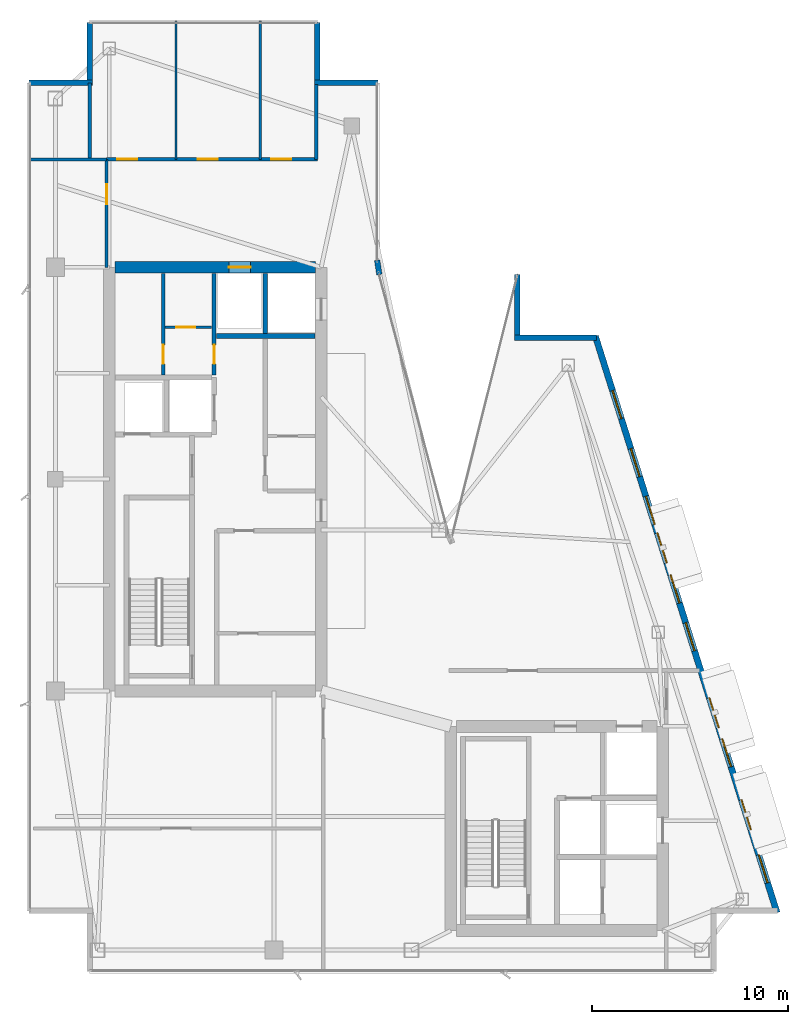
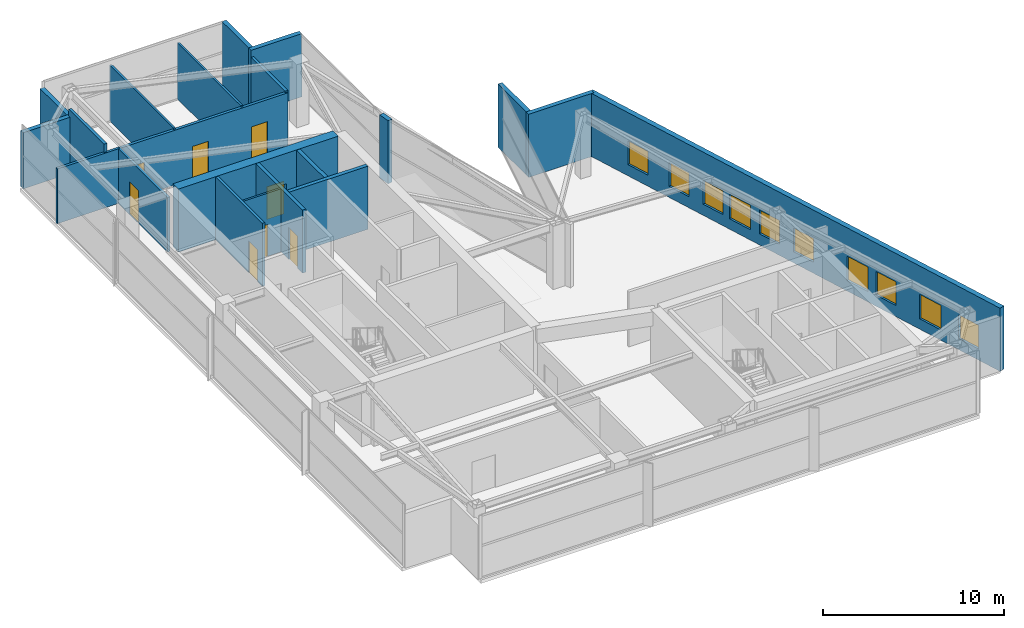
# One storey, part 22 of 25: 21 walls, 10 windows, 8 doors, 18 openings.
"""IFC4 building model written with IfcOpenShell, lengths in metres."""

from ifc_helpers import new_model, si_unit, direction, frame, frame_2d, origin, place, context, subcontext, project, spatial, rectangle, extrude, material, layer, layer_set, type_object, element, fill, save


model = new_model("IFC4")

# Units and contexts
model_context = context("Model", 3, precision=1e-05, world=origin(), true_north=direction((0.0, 1.0)))
body_context = subcontext(model_context, "Body", "Model", "MODEL_VIEW")
ifc_project = project(units=[si_unit("LENGTHUNIT", "METRE"), si_unit("AREAUNIT", "SQUARE_METRE"), si_unit("VOLUMEUNIT", "CUBIC_METRE"), si_unit("PLANEANGLEUNIT", "RADIAN"), si_unit("MASSUNIT", "GRAM", prefix="KILO")], contexts=[model_context])

# Site, building, storey
site_placement = place(None, origin())
site = spatial("IfcSite", under=ifc_project, at=site_placement, CompositionType="ELEMENT")
building_placement = place(site_placement, origin())
building = spatial("IfcBuilding", under=site, at=building_placement, Name="Calvorn Quay Hotel", CompositionType="ELEMENT")
storey_placement = place(building_placement, frame((0.0, 0.0, 311.5)))
storey = spatial("IfcBuildingStorey", under=building, at=storey_placement, Name="L77", CompositionType="ELEMENT", Elevation=311.5)

# Wall, opening, door
ifc_material_1 = material(Name="Concrete C45", Category="concrete")
ifc_layer_1 = layer(ifc_material_1, 0.60009765625)
ifc_layer_set_1 = layer_set([ifc_layer_1], Name="WL-CORE-600")
wall_type_1 = type_object("IfcWallType", Name="WL-CORE-600", PredefinedType="SHEAR", material=ifc_layer_set_1)
wall_1_placement = place(storey_placement, frame((4.5, 38.39990234375, 0.0), z_axis=(0.0, 0.0, 1.0), x_axis=(1.0, 0.0, 0.0)))
wall_1 = element("IfcWall", 1, at=wall_1_placement, inside=storey, type_object=wall_type_1, Name="West Core Shear Wall N (L77)", PredefinedType="SHEAR", context=body_context, shape_type="SweptSolid", body=[
    extrude(rectangle(XDim=10.199951171875, YDim=0.60009765625, at=frame_2d((5.10009765625, 0.0))), origin(), (0.0, 0.0, 1.0), 4.260009765625),
])
opening_1_placement = place(wall_1_placement, frame((5.800048828125, 0.0, 0.0)))
opening_1 = element("IfcOpeningElement", 2, at=opening_1_placement, cuts=wall_1, Name="Opening LD-L77-H2", PredefinedType="OPENING", context=body_context, shape_type="SweptSolid", body=[
    extrude(rectangle(XDim=1.10009765625, YDim=2.199951171875, at=frame_2d((0.550048828125, 1.10009765625))), frame((0.0, 0.31005859375, 0.0), z_axis=(0.0, -1.0, 0.0), x_axis=(1.0, 0.0, 0.0)), (0.0, 0.0, 1.0), 0.6201171875),
])
ifc_material_2 = material(Name="Brushed Stainless Steel Sliding Lift Landing Door", Category="steel")
door_type_1 = type_object("IfcDoorType", Name="DR-LIFT-PASS-1100", OperationType="NOTDEFINED", PredefinedType="DOOR", material=ifc_material_2)
door_1_placement = place(opening_1_placement, origin())
door_1 = element("IfcDoor", 3, at=door_1_placement, inside=storey, type_object=door_type_1, Name="High-Rise Lift PL-H2 Landing Door (L77)", OperationType="DOUBLE_DOOR_SLIDING", OverallHeight=2.199951171875, OverallWidth=1.10009765625, PredefinedType="DOOR", context=body_context, shape_type="SweptSolid", body=[
    extrude(rectangle(XDim=1.10009765625, YDim=2.199951171875, at=frame_2d((0.550048828125, 1.10009765625))), frame((0.0, 0.02490234375, 0.0), z_axis=(0.0, -1.0, 0.0), x_axis=(1.0, 0.0, 0.0)), (0.0, 0.0, 1.0), 0.050048828125),
])
fill(opening_1, door_1)

# Wall
ifc_material_3 = material(Name="Acoustic Fireboard Steel-Stud Partition", Category="steel")
ifc_layer_2 = layer(ifc_material_3, 0.179931640625)
ifc_layer_set_2 = layer_set([ifc_layer_2], Name="WL-CORR-FIRE-180")
wall_type_2 = type_object("IfcWallType", Name="WL-CORR-FIRE-180", PredefinedType="PARTITIONING", material=ifc_layer_set_2)
wall_2_placement = place(storey_placement, frame((3.199951171875, 43.89990234375, 0.0), z_axis=(0.0, 0.0, 1.0), x_axis=(0.0, 1.0, 0.0)))
element("IfcWall", 4, at=wall_2_placement, inside=storey, type_object=wall_type_2, Name="Partition Wall L77-WL-SK-WC-W", PredefinedType="PARTITIONING", context=body_context, shape_type="SweptSolid", body=[
    extrude(rectangle(XDim=3.900146484375, YDim=0.179931640625, at=frame_2d((1.9501953125, 0.0))), origin(), (0.0, 0.0, 1.0), 4.260009765625),
])

# Wall, openings, doors
wall_3_placement = place(storey_placement, frame((4.06005859375, 43.89990234375, 0.0), z_axis=(0.0, 0.0, 1.0), x_axis=(1.0, 0.0, 0.0)))
wall_3 = element("IfcWall", 5, at=wall_3_placement, inside=storey, type_object=wall_type_2, Name="Partition Wall L77-WL-SK-WC-S", PredefinedType="PARTITIONING", context=body_context, shape_type="SweptSolid", body=[
    extrude(rectangle(XDim=10.739990234375, YDim=0.179931640625, at=frame_2d((5.3701171875, 0.0))), origin(), (0.0, 0.0, 1.0), 3.68994140625),
])
opening_2_placement = place(wall_3_placement, frame((0.550048828125, 0.0, 0.0)))
opening_2 = element("IfcOpeningElement", 6, at=opening_2_placement, cuts=wall_3, Name="Opening D-L77-WM", PredefinedType="OPENING", context=body_context, shape_type="SweptSolid", body=[
    extrude(rectangle(XDim=1.02001953125, YDim=2.199951171875, at=frame_2d((0.510009765625, 1.10009765625))), frame((0.0, 0.099853515625, 0.0), z_axis=(0.0, -1.0, 0.0), x_axis=(1.0, 0.0, 0.0)), (0.0, 0.0, 1.0), 0.199951171875),
])
opening_3_placement = place(wall_3_placement, frame((4.64990234375, 0.0, 0.0)))
opening_3 = element("IfcOpeningElement", 7, at=opening_3_placement, cuts=wall_3, Name="Opening D-L77-WF", PredefinedType="OPENING", context=body_context, shape_type="SweptSolid", body=[
    extrude(rectangle(XDim=1.02001953125, YDim=2.199951171875, at=frame_2d((0.510009765625, 1.10009765625))), frame((0.0, 0.099853515625, 0.0), z_axis=(0.0, -1.0, 0.0), x_axis=(1.0, 0.0, 0.0)), (0.0, 0.0, 1.0), 0.199951171875),
])
opening_4_placement = place(wall_3_placement, frame((8.39990234375, 0.0, 0.0)))
opening_4 = element("IfcOpeningElement", 8, at=opening_4_placement, cuts=wall_3, Name="Opening D-L77-WA", PredefinedType="OPENING", context=body_context, shape_type="SweptSolid", body=[
    extrude(rectangle(XDim=1.02001953125, YDim=2.199951171875, at=frame_2d((0.510009765625, 1.10009765625))), frame((0.0, 0.099853515625, 0.0), z_axis=(0.0, -1.0, 0.0), x_axis=(1.0, 0.0, 0.0)), (0.0, 0.0, 1.0), 0.199951171875),
])
ifc_material_4 = material(Name="Solid-Core Walnut Veneer Hotel Fire Door")
door_type_2 = type_object("IfcDoorType", Name="DR-GUEST-ENTRY-1020", OperationType="NOTDEFINED", PredefinedType="DOOR", material=ifc_material_4)
door_2_placement = place(opening_2_placement, origin())
door_2 = element("IfcDoor", 9, at=door_2_placement, inside=storey, type_object=door_type_2, Name="Male WC Door", OperationType="SINGLE_SWING_LEFT", OverallHeight=2.199951171875, OverallWidth=1.02001953125, PredefinedType="DOOR", context=body_context, shape_type="SweptSolid", body=[
    extrude(rectangle(XDim=1.02001953125, YDim=2.199951171875, at=frame_2d((0.510009765625, 1.10009765625))), frame((0.0, 0.02490234375, 0.0), z_axis=(0.0, -1.0, 0.0), x_axis=(1.0, 0.0, 0.0)), (0.0, 0.0, 1.0), 0.050048828125),
])
fill(opening_2, door_2)
door_3_placement = place(opening_3_placement, origin())
door_3 = element("IfcDoor", 10, at=door_3_placement, inside=storey, type_object=door_type_2, Name="Female WC Door", OperationType="SINGLE_SWING_RIGHT", OverallHeight=2.199951171875, OverallWidth=1.02001953125, PredefinedType="DOOR", context=body_context, shape_type="SweptSolid", body=[
    extrude(rectangle(XDim=1.02001953125, YDim=2.199951171875, at=frame_2d((0.510009765625, 1.10009765625))), frame((0.0, 0.02490234375, 0.0), z_axis=(0.0, -1.0, 0.0), x_axis=(1.0, 0.0, 0.0)), (0.0, 0.0, 1.0), 0.050048828125),
])
fill(opening_3, door_3)
door_4_placement = place(opening_4_placement, origin())
door_4 = element("IfcDoor", 11, at=door_4_placement, inside=storey, type_object=door_type_2, Name="Accessible WC Door", OperationType="SINGLE_SWING_LEFT", OverallHeight=2.199951171875, OverallWidth=1.02001953125, PredefinedType="DOOR", context=body_context, shape_type="SweptSolid", body=[
    extrude(rectangle(XDim=1.02001953125, YDim=2.199951171875, at=frame_2d((0.510009765625, 1.10009765625))), frame((0.0, 0.02490234375, 0.0), z_axis=(0.0, -1.0, 0.0), x_axis=(1.0, 0.0, 0.0)), (0.0, 0.0, 1.0), 0.050048828125),
])
fill(opening_4, door_4)

# Wall
wall_4_placement = place(storey_placement, frame((14.75, 43.89990234375, 0.0), z_axis=(0.0, 0.0, 1.0), x_axis=(0.0, 1.0, 0.0)))
element("IfcWall", 12, at=wall_4_placement, inside=storey, type_object=wall_type_2, Name="Partition Wall L77-WL-SK-WC-E", PredefinedType="PARTITIONING", context=body_context, shape_type="SweptSolid", body=[
    extrude(rectangle(XDim=3.820068359375, YDim=0.179931640625, at=frame_2d((1.91015625, 0.0))), origin(), (0.0, 0.0, 1.0), 3.7900390625),
])

# Wall, opening, door
ifc_material_5 = material(Name="Moisture-Resistant Tile-Backed Partition")
ifc_layer_3 = layer(ifc_material_5, 0.125)
ifc_layer_set_3 = layer_set([ifc_layer_3], Name="WL-ENSUITE-125")
wall_type_3 = type_object("IfcWallType", Name="WL-ENSUITE-125", PredefinedType="PARTITIONING", material=ifc_layer_set_3)
wall_5_placement = place(storey_placement, frame((7.050048828125, 35.35009765625, 0.0), z_axis=(0.0, 0.0, 1.0), x_axis=(1.0, 0.0, 0.0)))
wall_5 = element("IfcWall", 13, at=wall_5_placement, inside=storey, type_object=wall_type_3, Name="Partition Wall L77-WL-CWW-K-H", PredefinedType="PARTITIONING", context=body_context, shape_type="SweptSolid", body=[
    extrude(rectangle(XDim=2.369873046875, YDim=0.125, at=frame_2d((1.18505859375, 0.0))), origin(), (0.0, 0.0, 1.0), 4.260009765625),
])
opening_5_placement = place(wall_5_placement, frame((0.550048828125, 0.0, 0.0)))
opening_5 = element("IfcOpeningElement", 14, at=opening_5_placement, cuts=wall_5, Name="Opening D-L77-CK3", PredefinedType="OPENING", context=body_context, shape_type="SweptSolid", body=[
    extrude(rectangle(XDim=0.97998046875, YDim=2.14990234375, at=frame_2d((0.489990234375, 1.074951171875))), frame((0.0, 0.072509765625, 0.0), z_axis=(0.0, -1.0, 0.0), x_axis=(1.0, 0.0, 0.0)), (0.0, 0.0, 1.0), 0.14501953125),
])
ifc_material_6 = material(Name="Painted Steel Housekeeping/Riser Fire Door", Category="steel")
door_type_3 = type_object("IfcDoorType", Name="DR-SERVICE-980", OperationType="NOTDEFINED", PredefinedType="DOOR", material=ifc_material_6)
door_5_placement = place(opening_5_placement, origin())
door_5 = element("IfcDoor", 15, at=door_5_placement, inside=storey, type_object=door_type_3, Name="Telecom Closet Door (L77)", OperationType="SINGLE_SWING_RIGHT", OverallHeight=2.14990234375, OverallWidth=0.97998046875, PredefinedType="DOOR", context=body_context, shape_type="SweptSolid", body=[
    extrude(rectangle(XDim=0.97998046875, YDim=2.14990234375, at=frame_2d((0.489990234375, 1.074951171875))), frame((0.0, 0.02490234375, 0.0), z_axis=(0.0, -1.0, 0.0), x_axis=(1.0, 0.0, 0.0)), (0.0, 0.0, 1.0), 0.050048828125),
])
fill(opening_5, door_5)

# Walls
for number, where, z_axis, x_axis, name in (
    (16, (7.60009765625, 43.89990234375, 0.0), (0.0, 0.0, 1.0), (0.0, 1.0, 0.0), "Partition Wall L77-WL-SK-WC-D1"),
    (17, (11.89990234375, 43.89990234375, 0.0), (0.0, 0.0, 1.0), (0.0, 1.0, 0.0), "Partition Wall L77-WL-SK-WC-D2"),
):
    element("IfcWall", number, at=place(storey_placement, frame(where, z_axis=z_axis, x_axis=x_axis)), inside=storey, type_object=wall_type_3, Name=name, PredefinedType="PARTITIONING", context=body_context, shape_type="SweptSolid", body=[
        extrude(rectangle(XDim=7.0400390625, YDim=0.125, at=frame_2d((3.52001953125, 0.0))), origin(), (0.0, 0.0, 1.0), 3.7900390625),
    ])
ifc_material_7 = material(Name="Concrete C40", Category="concrete")
ifc_layer_4 = layer(ifc_material_7, 0.320068359375)
ifc_layer_set_4 = layer_set([ifc_layer_4], Name="WL-EXT-SPANDREL-320")
wall_type_4 = type_object("IfcWallType", Name="WL-EXT-SPANDREL-320", PredefinedType="SOLIDWALL", material=ifc_layer_set_4)
wall_6_placement = place(storey_placement, frame((17.9619140625, 38.030029296875, 0.0), z_axis=(0.0, 0.0, 1.0), x_axis=(-0.15141125477, 0.988470855377, 0.0)))
element("IfcWall", 18, at=wall_6_placement, inside=storey, type_object=wall_type_4, Name="Inner Court Corner Pier L77-ICJ2", PredefinedType="SOLIDWALL", context=body_context, shape_type="SweptSolid", body=[
    extrude(rectangle(XDim=0.738525390625, YDim=0.280029296875, at=frame_2d((0.369140625, 0.0))), origin(), (0.0, 0.0, 1.0), 4.260009765625),
])
wall_7_placement = place(storey_placement, frame((29.0400390625, 34.800048828125, 0.0), z_axis=(0.0, 0.0, 1.0), x_axis=(-1.0, 0.0, 0.0)))
element("IfcWall", 19, at=wall_7_placement, inside=storey, type_object=wall_type_4, Name="Notched Corner Spandrel L77-NE1", PredefinedType="SOLIDWALL", context=body_context, shape_type="SweptSolid", body=[
    extrude(rectangle(XDim=4.179931640625, YDim=0.280029296875, at=frame_2d((2.08984375, 0.0))), origin(), (0.0, 0.0, 1.0), 4.260009765625),
])
wall_8_placement = place(storey_placement, frame((25.0, 34.93994140625, 0.0), z_axis=(0.0, 0.0, 1.0), x_axis=(0.0, 1.0, 0.0)))
element("IfcWall", 20, at=wall_8_placement, inside=storey, type_object=wall_type_4, Name="Notched Corner Spandrel L77-NE2", PredefinedType="SOLIDWALL", context=body_context, shape_type="SweptSolid", body=[
    extrude(rectangle(XDim=3.10009765625, YDim=0.280029296875, at=frame_2d((1.550048828125, 0.0))), origin(), (0.0, 0.0, 1.0), 4.260009765625),
])
wall_9_placement = place(storey_placement, frame((17.89990234375, 47.800048828125, 0.0), z_axis=(0.0, 0.0, 1.0), x_axis=(-1.0, 0.0, 0.0)))
element("IfcWall", 21, at=wall_9_placement, inside=storey, type_object=wall_type_4, Name="Notched Corner Spandrel L77-NWE1", PredefinedType="SOLIDWALL", context=body_context, shape_type="SweptSolid", body=[
    extrude(rectangle(XDim=3.239990234375, YDim=0.280029296875, at=frame_2d((1.6201171875, 0.0))), origin(), (0.0, 0.0, 1.0), 4.260009765625),
])
wall_10_placement = place(storey_placement, frame((14.800048828125, 47.93994140625, 0.0), z_axis=(0.0, 0.0, 1.0), x_axis=(0.0, 1.0, 0.0)))
element("IfcWall", 22, at=wall_10_placement, inside=storey, type_object=wall_type_4, Name="Notched Corner Spandrel L77-NWE2", PredefinedType="SOLIDWALL", context=body_context, shape_type="SweptSolid", body=[
    extrude(rectangle(XDim=2.93994140625, YDim=0.280029296875, at=frame_2d((1.469970703125, 0.0))), origin(), (0.0, 0.0, 1.0), 4.260009765625),
])
wall_11_placement = place(storey_placement, frame((3.199951171875, 50.8798828125, 0.0), z_axis=(0.0, 0.0, 1.0), x_axis=(0.0, -1.0, 0.0)))
element("IfcWall", 23, at=wall_11_placement, inside=storey, type_object=wall_type_4, Name="Notched Corner Spandrel L77-NW1", PredefinedType="SOLIDWALL", context=body_context, shape_type="SweptSolid", body=[
    extrude(rectangle(XDim=2.93994140625, YDim=0.280029296875, at=frame_2d((1.469970703125, 0.0))), origin(), (0.0, 0.0, 1.0), 3.7900390625),
])
wall_12_placement = place(storey_placement, frame((3.340087890625, 47.800048828125, 0.0), z_axis=(0.0, 0.0, 1.0), x_axis=(-1.0, 0.0, 0.0)))
element("IfcWall", 24, at=wall_12_placement, inside=storey, type_object=wall_type_4, Name="Notched Corner Spandrel L77-NW2", PredefinedType="SOLIDWALL", context=body_context, shape_type="SweptSolid", body=[
    extrude(rectangle(XDim=3.219970703125, YDim=0.280029296875, at=frame_2d((1.60986328125, 0.0))), origin(), (0.0, 0.0, 1.0), 3.7900390625),
])

# Wall, openings, windows
wall_13_placement = place(storey_placement, frame((38.22998046875, 5.5048828125, 0.0), z_axis=(0.0, 0.0, 1.0), x_axis=(-0.300509063924, 0.953778958931, 0.0)))
wall_13 = element("IfcWall", 25, at=wall_13_placement, inside=storey, type_object=wall_type_4, Name="East Stepped Waterfront Exterior Wall (L77)", PredefinedType="SOLIDWALL", context=body_context, shape_type="SweptSolid", body=[
    extrude(rectangle(XDim=30.814453125, YDim=0.320068359375, at=frame_2d((15.4072265625, 0.0))), origin(), (0.0, 0.0, 1.0), 4.260009765625),
])
opening_6_placement = place(wall_13_placement, frame((4.43701171875, 0.0, 0.699951171875)))
opening_6 = element("IfcOpeningElement", 26, at=opening_6_placement, cuts=wall_13, Name="Opening WHD-L77-1", PredefinedType="OPENING", context=body_context, shape_type="SweptSolid", body=[
    extrude(rectangle(XDim=1.60009765625, YDim=1.64990234375, at=frame_2d((0.800048828125, 0.824951171875))), frame((0.0, 0.169921875, 0.0), z_axis=(0.0, -1.0, 0.0), x_axis=(1.0, 0.0, 0.0)), (0.0, 0.0, 1.0), 0.340087890625),
])
opening_7_placement = place(wall_13_placement, frame((9.888916015625, 0.0, 0.699951171875)))
opening_7 = element("IfcOpeningElement", 27, at=opening_7_placement, cuts=wall_13, Name="Opening WHD-L77-2", PredefinedType="OPENING", context=body_context, shape_type="SweptSolid", body=[
    extrude(rectangle(XDim=1.60009765625, YDim=1.64990234375, at=frame_2d((0.800048828125, 0.824951171875))), frame((0.0, 0.169921875, 0.0), z_axis=(0.0, -1.0, 0.0), x_axis=(1.0, 0.0, 0.0)), (0.0, 0.0, 1.0), 0.340087890625),
])
opening_8_placement = place(wall_13_placement, frame((18.696044921875, 0.0, 0.699951171875)))
opening_8 = element("IfcOpeningElement", 28, at=opening_8_placement, cuts=wall_13, Name="Opening WHD-L77-3", PredefinedType="OPENING", context=body_context, shape_type="SweptSolid", body=[
    extrude(rectangle(XDim=1.60009765625, YDim=1.64990234375, at=frame_2d((0.800048828125, 0.824951171875))), frame((0.0, 0.169921875, 0.0), z_axis=(0.0, -1.0, 0.0), x_axis=(1.0, 0.0, 0.0)), (0.0, 0.0, 1.0), 0.340087890625),
])
opening_9_placement = place(wall_13_placement, frame((1.60009765625, 0.0, 0.75)))
opening_9 = element("IfcOpeningElement", 29, at=opening_9_placement, cuts=wall_13, Name="Opening WG-L77-E1", PredefinedType="OPENING", context=body_context, shape_type="SweptSolid", body=[
    extrude(rectangle(XDim=1.5, YDim=1.60009765625, at=frame_2d((0.75, 0.800048828125))), frame((0.0, 0.169921875, 0.0), z_axis=(0.0, -1.0, 0.0), x_axis=(1.0, 0.0, 0.0)), (0.0, 0.0, 1.0), 0.340087890625),
])
opening_10_placement = place(wall_13_placement, frame((7.800048828125, 0.0, 0.75)))
opening_10 = element("IfcOpeningElement", 30, at=opening_10_placement, cuts=wall_13, Name="Opening WG-L77-E2", PredefinedType="OPENING", context=body_context, shape_type="SweptSolid", body=[
    extrude(rectangle(XDim=1.5, YDim=1.60009765625, at=frame_2d((0.75, 0.800048828125))), frame((0.0, 0.169921875, 0.0), z_axis=(0.0, -1.0, 0.0), x_axis=(1.0, 0.0, 0.0)), (0.0, 0.0, 1.0), 0.340087890625),
])
opening_11_placement = place(wall_13_placement, frame((14.0, 0.0, 0.75)))
opening_11 = element("IfcOpeningElement", 31, at=opening_11_placement, cuts=wall_13, Name="Opening WG-L77-E3", PredefinedType="OPENING", context=body_context, shape_type="SweptSolid", body=[
    extrude(rectangle(XDim=1.5, YDim=1.60009765625, at=frame_2d((0.75, 0.800048828125))), frame((0.0, 0.169921875, 0.0), z_axis=(0.0, -1.0, 0.0), x_axis=(1.0, 0.0, 0.0)), (0.0, 0.0, 1.0), 0.340087890625),
])
opening_12_placement = place(wall_13_placement, frame((16.550048828125, 0.0, 0.75)))
opening_12 = element("IfcOpeningElement", 32, at=opening_12_placement, cuts=wall_13, Name="Opening WG-L77-E4", PredefinedType="OPENING", context=body_context, shape_type="SweptSolid", body=[
    extrude(rectangle(XDim=1.5, YDim=1.60009765625, at=frame_2d((0.75, 0.800048828125))), frame((0.0, 0.169921875, 0.0), z_axis=(0.0, -1.0, 0.0), x_axis=(1.0, 0.0, 0.0)), (0.0, 0.0, 1.0), 0.340087890625),
])
opening_13_placement = place(wall_13_placement, frame((20.75, 0.0, 0.75)))
opening_13 = element("IfcOpeningElement", 33, at=opening_13_placement, cuts=wall_13, Name="Opening WG-L77-E5", PredefinedType="OPENING", context=body_context, shape_type="SweptSolid", body=[
    extrude(rectangle(XDim=1.5, YDim=1.60009765625, at=frame_2d((0.75, 0.800048828125))), frame((0.0, 0.169921875, 0.0), z_axis=(0.0, -1.0, 0.0), x_axis=(1.0, 0.0, 0.0)), (0.0, 0.0, 1.0), 0.340087890625),
])
opening_14_placement = place(wall_13_placement, frame((23.300048828125, 0.0, 0.75)))
opening_14 = element("IfcOpeningElement", 34, at=opening_14_placement, cuts=wall_13, Name="Opening WG-L77-E6", PredefinedType="OPENING", context=body_context, shape_type="SweptSolid", body=[
    extrude(rectangle(XDim=1.5, YDim=1.60009765625, at=frame_2d((0.75, 0.800048828125))), frame((0.0, 0.169921875, 0.0), z_axis=(0.0, -1.0, 0.0), x_axis=(1.0, 0.0, 0.0)), (0.0, 0.0, 1.0), 0.340087890625),
])
opening_15_placement = place(wall_13_placement, frame((26.39990234375, 0.0, 0.75)))
opening_15 = element("IfcOpeningElement", 35, at=opening_15_placement, cuts=wall_13, Name="Opening WG-L77-E7", PredefinedType="OPENING", context=body_context, shape_type="SweptSolid", body=[
    extrude(rectangle(XDim=1.5, YDim=1.60009765625, at=frame_2d((0.75, 0.800048828125))), frame((0.0, 0.169921875, 0.0), z_axis=(0.0, -1.0, 0.0), x_axis=(1.0, 0.0, 0.0)), (0.0, 0.0, 1.0), 0.340087890625),
])
ifc_material_8 = material(Name="Champagne-Bronze Aluminium Low-E Window", Category="aluminium")
window_type_1 = type_object("IfcWindowType", Name="WIN-GUEST-SIDE-1600x2100", PartitioningType="SINGLE_PANEL", PredefinedType="WINDOW", material=ifc_material_8)
window_1_placement = place(opening_6_placement, origin())
window_1 = element("IfcWindow", 36, at=window_1_placement, inside=storey, type_object=window_type_1, Name="Bay Hood Window L77-HOOD-1", OverallHeight=1.64990234375, OverallWidth=1.60009765625, PartitioningType="SINGLE_PANEL", PredefinedType="WINDOW", context=body_context, shape_type="SweptSolid", body=[
    extrude(rectangle(XDim=1.60009765625, YDim=1.64990234375, at=frame_2d((0.800048828125, 0.824951171875))), frame((0.0, 0.030029296875, 0.0), z_axis=(0.0, -1.0, 0.0), x_axis=(1.0, 0.0, 0.0)), (0.0, 0.0, 1.0), 0.06005859375),
])
fill(opening_6, window_1)
window_2_placement = place(opening_7_placement, origin())
window_2 = element("IfcWindow", 37, at=window_2_placement, inside=storey, type_object=window_type_1, Name="Bay Hood Window L77-HOOD-2", OverallHeight=1.64990234375, OverallWidth=1.60009765625, PartitioningType="SINGLE_PANEL", PredefinedType="WINDOW", context=body_context, shape_type="SweptSolid", body=[
    extrude(rectangle(XDim=1.60009765625, YDim=1.64990234375, at=frame_2d((0.800048828125, 0.824951171875))), frame((0.0, 0.030029296875, 0.0), z_axis=(0.0, -1.0, 0.0), x_axis=(1.0, 0.0, 0.0)), (0.0, 0.0, 1.0), 0.06005859375),
])
fill(opening_7, window_2)
window_3_placement = place(opening_8_placement, origin())
window_3 = element("IfcWindow", 38, at=window_3_placement, inside=storey, type_object=window_type_1, Name="Bay Hood Window L77-HOOD-3", OverallHeight=1.64990234375, OverallWidth=1.60009765625, PartitioningType="SINGLE_PANEL", PredefinedType="WINDOW", context=body_context, shape_type="SweptSolid", body=[
    extrude(rectangle(XDim=1.60009765625, YDim=1.64990234375, at=frame_2d((0.800048828125, 0.824951171875))), frame((0.0, 0.030029296875, 0.0), z_axis=(0.0, -1.0, 0.0), x_axis=(1.0, 0.0, 0.0)), (0.0, 0.0, 1.0), 0.06005859375),
])
fill(opening_8, window_3)
ifc_material_9 = material(Name="Self-Closing Class B Fire Window")
window_type_2 = type_object("IfcWindowType", Name="WIN-REFUGE-1500x1600", PartitioningType="SINGLE_PANEL", PredefinedType="WINDOW", material=ifc_material_9)
window_4_placement = place(opening_9_placement, origin())
window_4 = element("IfcWindow", 39, at=window_4_placement, inside=storey, type_object=window_type_2, Name="East Facade Window L77-E1", OverallHeight=1.60009765625, OverallWidth=1.5, PartitioningType="SINGLE_PANEL", PredefinedType="WINDOW", context=body_context, shape_type="SweptSolid", body=[
    extrude(rectangle(XDim=1.5, YDim=1.60009765625, at=frame_2d((0.75, 0.800048828125))), frame((0.0, 0.030029296875, 0.0), z_axis=(0.0, -1.0, 0.0), x_axis=(1.0, 0.0, 0.0)), (0.0, 0.0, 1.0), 0.06005859375),
])
fill(opening_9, window_4)
window_5_placement = place(opening_10_placement, origin())
window_5 = element("IfcWindow", 40, at=window_5_placement, inside=storey, type_object=window_type_2, Name="East Facade Window L77-E2", OverallHeight=1.60009765625, OverallWidth=1.5, PartitioningType="SINGLE_PANEL", PredefinedType="WINDOW", context=body_context, shape_type="SweptSolid", body=[
    extrude(rectangle(XDim=1.5, YDim=1.60009765625, at=frame_2d((0.75, 0.800048828125))), frame((0.0, 0.030029296875, 0.0), z_axis=(0.0, -1.0, 0.0), x_axis=(1.0, 0.0, 0.0)), (0.0, 0.0, 1.0), 0.06005859375),
])
fill(opening_10, window_5)
window_6_placement = place(opening_11_placement, origin())
window_6 = element("IfcWindow", 41, at=window_6_placement, inside=storey, type_object=window_type_2, Name="East Facade Window L77-E3", OverallHeight=1.60009765625, OverallWidth=1.5, PartitioningType="SINGLE_PANEL", PredefinedType="WINDOW", context=body_context, shape_type="SweptSolid", body=[
    extrude(rectangle(XDim=1.5, YDim=1.60009765625, at=frame_2d((0.75, 0.800048828125))), frame((0.0, 0.030029296875, 0.0), z_axis=(0.0, -1.0, 0.0), x_axis=(1.0, 0.0, 0.0)), (0.0, 0.0, 1.0), 0.06005859375),
])
fill(opening_11, window_6)
window_7_placement = place(opening_12_placement, origin())
window_7 = element("IfcWindow", 42, at=window_7_placement, inside=storey, type_object=window_type_2, Name="East Facade Window L77-E4", OverallHeight=1.60009765625, OverallWidth=1.5, PartitioningType="SINGLE_PANEL", PredefinedType="WINDOW", context=body_context, shape_type="SweptSolid", body=[
    extrude(rectangle(XDim=1.5, YDim=1.60009765625, at=frame_2d((0.75, 0.800048828125))), frame((0.0, 0.030029296875, 0.0), z_axis=(0.0, -1.0, 0.0), x_axis=(1.0, 0.0, 0.0)), (0.0, 0.0, 1.0), 0.06005859375),
])
fill(opening_12, window_7)
window_8_placement = place(opening_13_placement, origin())
window_8 = element("IfcWindow", 43, at=window_8_placement, inside=storey, type_object=window_type_2, Name="East Facade Window L77-E5", OverallHeight=1.60009765625, OverallWidth=1.5, PartitioningType="SINGLE_PANEL", PredefinedType="WINDOW", context=body_context, shape_type="SweptSolid", body=[
    extrude(rectangle(XDim=1.5, YDim=1.60009765625, at=frame_2d((0.75, 0.800048828125))), frame((0.0, 0.030029296875, 0.0), z_axis=(0.0, -1.0, 0.0), x_axis=(1.0, 0.0, 0.0)), (0.0, 0.0, 1.0), 0.06005859375),
])
fill(opening_13, window_8)
window_9_placement = place(opening_14_placement, origin())
window_9 = element("IfcWindow", 44, at=window_9_placement, inside=storey, type_object=window_type_2, Name="East Facade Window L77-E6", OverallHeight=1.60009765625, OverallWidth=1.5, PartitioningType="SINGLE_PANEL", PredefinedType="WINDOW", context=body_context, shape_type="SweptSolid", body=[
    extrude(rectangle(XDim=1.5, YDim=1.60009765625, at=frame_2d((0.75, 0.800048828125))), frame((0.0, 0.030029296875, 0.0), z_axis=(0.0, -1.0, 0.0), x_axis=(1.0, 0.0, 0.0)), (0.0, 0.0, 1.0), 0.06005859375),
])
fill(opening_14, window_9)
window_10_placement = place(opening_15_placement, origin())
window_10 = element("IfcWindow", 45, at=window_10_placement, inside=storey, type_object=window_type_2, Name="East Facade Window L77-E7", OverallHeight=1.60009765625, OverallWidth=1.5, PartitioningType="SINGLE_PANEL", PredefinedType="WINDOW", context=body_context, shape_type="SweptSolid", body=[
    extrude(rectangle(XDim=1.5, YDim=1.60009765625, at=frame_2d((0.75, 0.800048828125))), frame((0.0, 0.030029296875, 0.0), z_axis=(0.0, -1.0, 0.0), x_axis=(1.0, 0.0, 0.0)), (0.0, 0.0, 1.0), 0.06005859375),
])
fill(opening_15, window_10)

# Wall, opening, door
ifc_material_10 = material(Name="Double-Stud Acoustic Gypsum Partition")
ifc_layer_5 = layer(ifc_material_10, 0.159912109375)
ifc_layer_set_5 = layer_set([ifc_layer_5], Name="WL-INTERSUITE-160")
wall_type_5 = type_object("IfcWallType", Name="WL-INTERSUITE-160", PredefinedType="PARTITIONING", material=ifc_layer_set_5)
wall_14_placement = place(storey_placement, frame((6.949951171875, 32.919921875, 0.0), z_axis=(0.0, 0.0, 1.0), x_axis=(0.0, 1.0, 0.0)))
wall_14 = element("IfcWall", 46, at=wall_14_placement, inside=storey, type_object=wall_type_5, Name="Partition Wall L77-WL-CWW-K-V", PredefinedType="PARTITIONING", context=body_context, shape_type="SweptSolid", body=[
    extrude(rectangle(XDim=5.16015625, YDim=0.159912109375, at=frame_2d((2.580078125, 0.0))), origin(), (0.0, 0.0, 1.0), 4.260009765625),
])
opening_16_placement = place(wall_14_placement, frame((0.550048828125, 0.0, 0.0)))
opening_16 = element("IfcOpeningElement", 47, at=opening_16_placement, cuts=wall_14, Name="Opening D-L77-CK1", PredefinedType="OPENING", context=body_context, shape_type="SweptSolid", body=[
    extrude(rectangle(XDim=0.97998046875, YDim=2.14990234375, at=frame_2d((0.489990234375, 1.074951171875))), frame((0.0, 0.08984375, 0.0), z_axis=(0.0, -1.0, 0.0), x_axis=(1.0, 0.0, 0.0)), (0.0, 0.0, 1.0), 0.179931640625),
])
door_6_placement = place(opening_16_placement, origin())
door_6 = element("IfcDoor", 48, at=door_6_placement, inside=storey, type_object=door_type_3, Name="Pipe Riser Door (L77)", OperationType="SINGLE_SWING_LEFT", OverallHeight=2.14990234375, OverallWidth=0.97998046875, PredefinedType="DOOR", context=body_context, shape_type="SweptSolid", body=[
    extrude(rectangle(XDim=0.97998046875, YDim=2.14990234375, at=frame_2d((0.489990234375, 1.074951171875))), frame((0.0, 0.02490234375, 0.0), z_axis=(0.0, -1.0, 0.0), x_axis=(1.0, 0.0, 0.0)), (0.0, 0.0, 1.0), 0.050048828125),
])
fill(opening_16, door_6)

wall_15_placement = place(storey_placement, frame((4.06005859375, 38.39990234375, 0.0), z_axis=(0.0, 0.0, 1.0), x_axis=(0.0, 1.0, 0.0)))
wall_15 = element("IfcWall", 49, at=wall_15_placement, inside=storey, type_object=wall_type_5, Name="Partition Wall L77-WL-SK-WV-E", PredefinedType="PARTITIONING", context=body_context, shape_type="SweptSolid", body=[
    extrude(rectangle(XDim=5.5, YDim=0.159912109375, at=frame_2d((2.75, 0.0))), origin(), (0.0, 0.0, 1.0), 3.68994140625),
])
opening_17_placement = place(wall_15_placement, frame((3.199951171875, 0.0, 0.0)))
opening_17 = element("IfcOpeningElement", 50, at=opening_17_placement, cuts=wall_15, Name="Opening D-L77-WV", PredefinedType="OPENING", context=body_context, shape_type="SweptSolid", body=[
    extrude(rectangle(XDim=1.02001953125, YDim=2.199951171875, at=frame_2d((0.510009765625, 1.10009765625))), frame((0.0, 0.08984375, 0.0), z_axis=(0.0, -1.0, 0.0), x_axis=(1.0, 0.0, 0.0)), (0.0, 0.0, 1.0), 0.179931640625),
])
door_7_placement = place(opening_17_placement, origin())
door_7 = element("IfcDoor", 51, at=door_7_placement, inside=storey, type_object=door_type_2, Name="West Viewing Lounge Door", OperationType="SINGLE_SWING_LEFT", OverallHeight=2.199951171875, OverallWidth=1.02001953125, PredefinedType="DOOR", context=body_context, shape_type="SweptSolid", body=[
    extrude(rectangle(XDim=1.02001953125, YDim=2.199951171875, at=frame_2d((0.510009765625, 1.10009765625))), frame((0.0, 0.02490234375, 0.0), z_axis=(0.0, -1.0, 0.0), x_axis=(1.0, 0.0, 0.0)), (0.0, 0.0, 1.0), 0.050048828125),
])
fill(opening_17, door_7)

# Wall
wall_16_placement = place(storey_placement, frame((0.080078125, 43.89990234375, 0.0), z_axis=(0.0, 0.0, 1.0), x_axis=(1.0, 0.0, 0.0)))
element("IfcWall", 52, at=wall_16_placement, inside=storey, type_object=wall_type_5, Name="Partition Wall L77-WL-SK-WV-N", PredefinedType="PARTITIONING", context=body_context, shape_type="SweptSolid", body=[
    extrude(rectangle(XDim=3.97998046875, YDim=0.159912109375, at=frame_2d((1.989990234375, 0.0))), origin(), (0.0, 0.0, 1.0), 3.68994140625),
])

# Wall, opening, door
ifc_material_11 = material(Name="Autoclaved Aerated Masonry Block", Category="masonry")
ifc_layer_6 = layer(ifc_material_11, 0.219970703125)
ifc_layer_set_6 = layer_set([ifc_layer_6], Name="WL-LOBBY-FIRE-220")
wall_type_6 = type_object("IfcWallType", Name="WL-LOBBY-FIRE-220", PredefinedType="SOLIDWALL", material=ifc_layer_set_6)
wall_17_placement = place(storey_placement, frame((9.5400390625, 32.919921875, 0.0), z_axis=(0.0, 0.0, 1.0), x_axis=(0.0, 1.0, 0.0)))
wall_17 = element("IfcWall", 53, at=wall_17_placement, inside=storey, type_object=wall_type_6, Name="Partition Wall L77-WL-CWW-K-E", PredefinedType="SOLIDWALL", context=body_context, shape_type="SweptSolid", body=[
    extrude(rectangle(XDim=5.16015625, YDim=0.219970703125, at=frame_2d((2.580078125, 0.0))), origin(), (0.0, 0.0, 1.0), 4.260009765625),
])
opening_18_placement = place(wall_17_placement, frame((0.550048828125, 0.0, 0.0)))
opening_18 = element("IfcOpeningElement", 54, at=opening_18_placement, cuts=wall_17, Name="Opening D-L77-CK2", PredefinedType="OPENING", context=body_context, shape_type="SweptSolid", body=[
    extrude(rectangle(XDim=0.97998046875, YDim=2.14990234375, at=frame_2d((0.489990234375, 1.074951171875))), frame((0.0, 0.119873046875, 0.0), z_axis=(0.0, -1.0, 0.0), x_axis=(1.0, 0.0, 0.0)), (0.0, 0.0, 1.0), 0.239990234375),
])
door_8_placement = place(opening_18_placement, origin())
door_8 = element("IfcDoor", 55, at=door_8_placement, inside=storey, type_object=door_type_3, Name="Valet Closet Door (L77)", OperationType="SINGLE_SWING_LEFT", OverallHeight=2.14990234375, OverallWidth=0.97998046875, PredefinedType="DOOR", context=body_context, shape_type="SweptSolid", body=[
    extrude(rectangle(XDim=0.97998046875, YDim=2.14990234375, at=frame_2d((0.489990234375, 1.074951171875))), frame((0.0, 0.02490234375, 0.0), z_axis=(0.0, -1.0, 0.0), x_axis=(1.0, 0.0, 0.0)), (0.0, 0.0, 1.0), 0.050048828125),
])
fill(opening_18, door_8)

# Walls
ifc_material_12 = material(Name="Concrete C40", Category="concrete")
ifc_layer_7 = layer(ifc_material_12, 0.239990234375)
ifc_layer_set_7 = layer_set([ifc_layer_7], Name="WL-SHAFT-240")
wall_type_7 = type_object("IfcWallType", Name="WL-SHAFT-240", PredefinedType="SOLIDWALL", material=ifc_layer_set_7)
wall_18_placement = place(storey_placement, frame((9.659912109375, 34.89990234375, 0.0), z_axis=(0.0, 0.0, 1.0), x_axis=(1.0, 0.0, 0.0)))
element("IfcWall", 56, at=wall_18_placement, inside=storey, type_object=wall_type_7, Name="Partition Wall L77-WL-CWW-PLH-S", PredefinedType="SOLIDWALL", context=body_context, shape_type="SweptSolid", body=[
    extrude(rectangle(XDim=5.02001953125, YDim=0.239990234375, at=frame_2d((2.510009765625, 0.0))), origin(), (0.0, 0.0, 1.0), 4.260009765625),
])
wall_19_placement = place(storey_placement, frame((12.14990234375, 35.02001953125, 0.0), z_axis=(0.0, 0.0, 1.0), x_axis=(0.0, 1.0, 0.0)))
element("IfcWall", 57, at=wall_19_placement, inside=storey, type_object=wall_type_7, Name="Partition Wall L77-WL-CWW-PLH-DIV", PredefinedType="SOLIDWALL", context=body_context, shape_type="SweptSolid", body=[
    extrude(rectangle(XDim=3.06005859375, YDim=0.239990234375, at=frame_2d((1.530029296875, 0.0))), origin(), (0.0, 0.0, 1.0), 4.260009765625),
])

save(model, "model.ifc")
